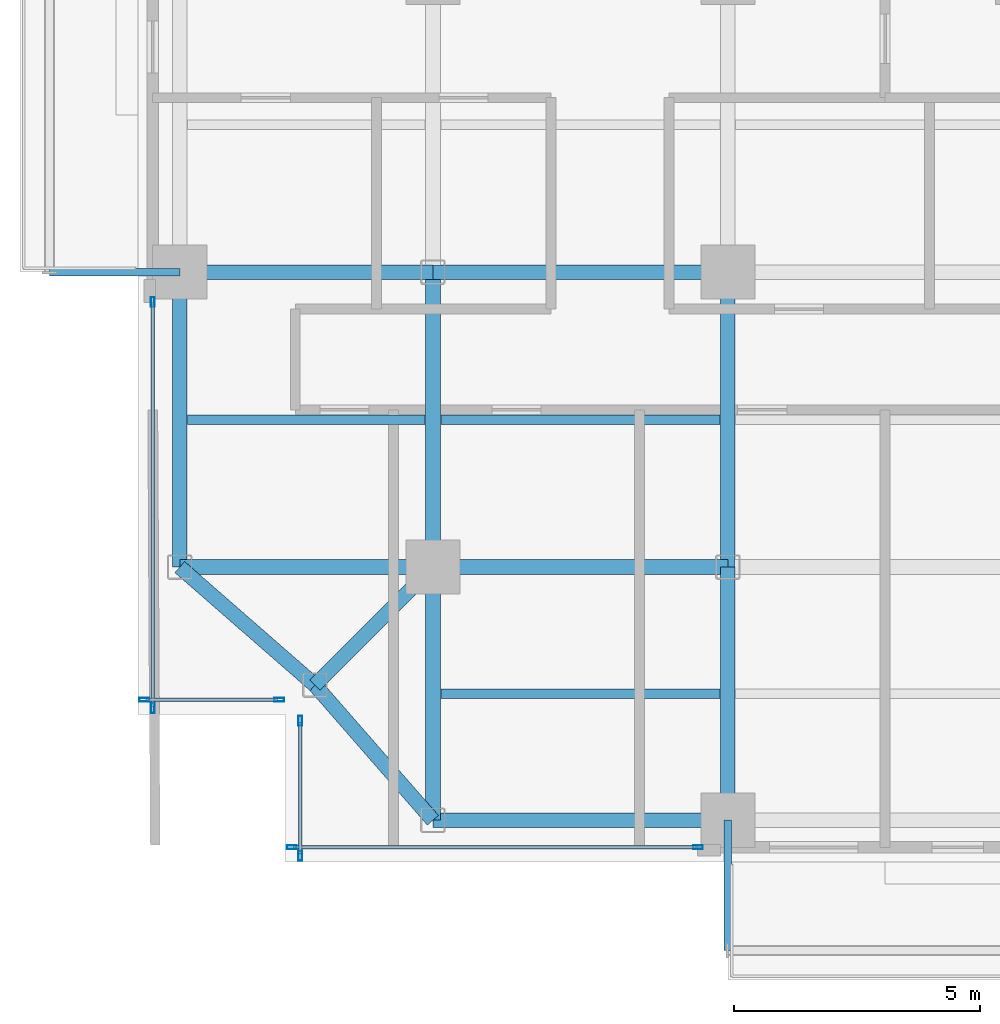
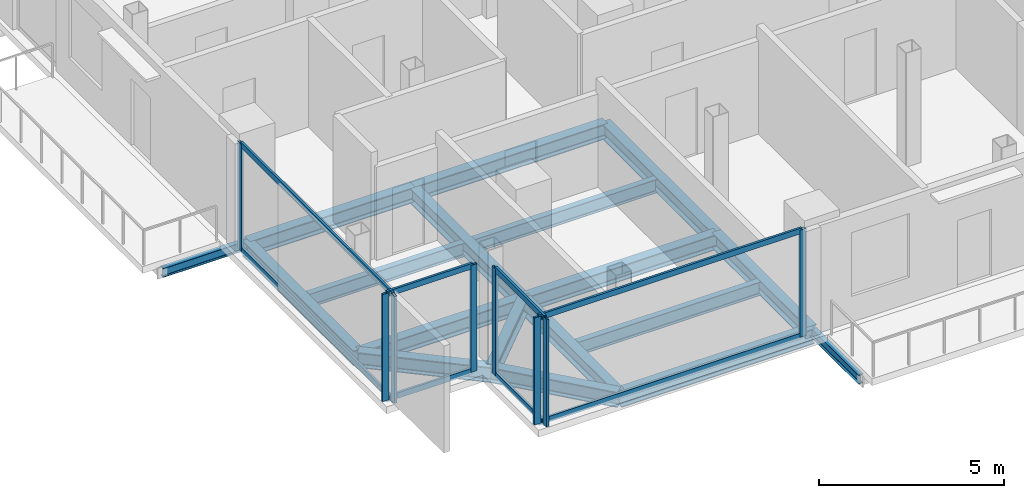
# One storey, part 2 of 24: 18 beams, 16 members, 4 elements without a shape of their own.
"""IFC4 building model written with IfcOpenShell, lengths in metres."""

from ifc_helpers import new_model, si_unit, direction, frame, origin, origin_2d, place, context, subcontext, project, spatial, hollow_rectangle, i_section, extrude, material, layer, layer_set, material_profile, profile_set, type_object, element, aggregate, save


model = new_model("IFC4")

# Units and contexts
model_context = context("Model", 3, precision=1e-05, world=origin(), true_north=direction((0.0, 1.0)))
body_context = subcontext(model_context, "Body", "Model", "MODEL_VIEW")
ifc_project = project(units=[si_unit("LENGTHUNIT", "METRE"), si_unit("AREAUNIT", "SQUARE_METRE"), si_unit("VOLUMEUNIT", "CUBIC_METRE"), si_unit("PLANEANGLEUNIT", "RADIAN"), si_unit("MASSUNIT", "GRAM", prefix="KILO"), si_unit("THERMODYNAMICTEMPERATUREUNIT", "KELVIN"), si_unit("POWERUNIT", "WATT")], contexts=[model_context])

# Site, building, storey
site_placement = place(None, origin())
site = spatial("IfcSite", under=ifc_project, at=site_placement, CompositionType="ELEMENT")
building_placement = place(site_placement, origin())
building = spatial("IfcBuilding", under=site, at=building_placement, Name="Svarakhadi Broadcast Tower", CompositionType="ELEMENT")
storey_placement = place(building_placement, frame((0.0, 0.0, 115.64990234375)))
storey = spatial("IfcBuildingStorey", under=building, at=storey_placement, Name="L27", CompositionType="ELEMENT", Elevation=115.64990234375)

# Beams
ifc_material_1 = material(Name="Steel S355J2 (IS 2062 E350C)", Category="steel")
ifc_material_profile_1 = material_profile(ifc_material_1, i_section(OverallWidth=0.18994140625, OverallDepth=0.449951171875, WebThickness=0.009521484375, FlangeThickness=0.0146484375, FilletRadius=0.02099609375, at=origin_2d()), Name="NPB 450x190x78")
ifc_profile_set_1 = profile_set([ifc_material_profile_1], Name="Steel S355J2 (IS 2062 E350C)")
beam_type_1 = type_object("IfcBeamType", Name="Beam_NPB450", PredefinedType="BEAM", material=ifc_profile_set_1)
beam_1_placement = place(storey_placement, frame((1.010009765625, 9.0, -0.449951171875), z_axis=(1.0, 0.0, 0.0), x_axis=(0.0, 1.0, 0.0)))
element("IfcBeam", 1, at=beam_1_placement, inside=storey, type_object=beam_type_1, Name="L27 Secondary Composite Beam SB001", PredefinedType="BEAM", context=body_context, shape_type="SweptSolid", body=[
    extrude(i_section(OverallWidth=0.18994140625, OverallDepth=0.449951171875, WebThickness=0.009521484375, FlangeThickness=0.0146484375, FilletRadius=0.02099609375, at=origin_2d()), origin(), (0.0, 0.0, 1.0), 4.830078125),
])
for number, where, z_axis, x_axis, name in (
    (2, (6.159912109375, 3.425048828125, -0.449951171875), (1.0, 0.0, 0.0), (0.0, 1.0, 0.0), "L27 Secondary Composite Beam SB006"),
    (3, (6.159912109375, 9.0, -0.449951171875), (1.0, 0.0, 0.0), (0.0, 1.0, 0.0), "L27 Secondary Composite Beam SB007"),
):
    element("IfcBeam", number, at=place(storey_placement, frame(where, z_axis=z_axis, x_axis=x_axis)), inside=storey, type_object=beam_type_1, Name=name, PredefinedType="BEAM", context=body_context, shape_type="SweptSolid", body=[
        extrude(i_section(OverallWidth=0.18994140625, OverallDepth=0.449951171875, WebThickness=0.009521484375, FlangeThickness=0.0146484375, FilletRadius=0.02099609375, at=origin_2d()), origin(), (0.0, 0.0, 1.0), 5.68017578125),
    ])

# Curtain wall, members
ifc_material_2 = material(Name="Anodised Bronze Aluminium AA 6063-T6", Category="aluminium")
ifc_layer = layer(ifc_material_2, 0.199951171875)
ifc_layer_set = layer_set([ifc_layer], Name="Anodised Bronze Aluminium AA 6063-T6")
curtain_wall_type = type_object("IfcCurtainWallType", Name="CW_Sys_03", PredefinedType="NOTDEFINED", material=ifc_layer_set)
curtain_wall_1_placement = place(storey_placement, origin())
curtain_wall_1 = element("IfcCurtainWall", 4, at=curtain_wall_1_placement, inside=storey, type_object=curtain_wall_type, Name="L27 Unitised Facade Curtain Wall 01", PredefinedType="NOTDEFINED")
ifc_material_profile_2 = material_profile(ifc_material_2, hollow_rectangle(XDim=0.074951171875, YDim=0.199951171875, WallThickness=0.005615234375, at=origin_2d()), Name="ALU MULLION 200x75x6")
ifc_profile_set_2 = profile_set([ifc_material_profile_2], Name="Anodised Bronze Aluminium AA 6063-T6")
member_type_1 = type_object("IfcMemberType", Name="CW_Sys_03_Mul", PredefinedType="MULLION", material=ifc_profile_set_2)
member_1_placement = place(storey_placement, frame((2.87255859375, 3.300048828125, 0.0), z_axis=(0.0, 0.0, 1.0), x_axis=(0.0, -1.0, 0.0)))
member_1 = element("IfcMember", 5, at=member_1_placement, type_object=member_type_1, Name="CW-03 mullion 1", PredefinedType="MULLION", context=body_context, shape_type="SweptSolid", body=[
    extrude(hollow_rectangle(XDim=0.074951171875, YDim=0.199951171875, WallThickness=0.005615234375, at=origin_2d()), origin(), (0.0, 0.0, 1.0), 3.525146484375),
])
member_2_placement = place(storey_placement, frame((0.12744140625, 3.300048828125, 0.0), z_axis=(0.0, 0.0, 1.0), x_axis=(0.0, -1.0, 0.0)))
member_2 = element("IfcMember", 6, at=member_2_placement, type_object=member_type_1, Name="CW-03 mullion 2", PredefinedType="MULLION", context=body_context, shape_type="SweptSolid", body=[
    extrude(hollow_rectangle(XDim=0.074951171875, YDim=0.199951171875, WallThickness=0.005615234375, at=origin_2d()), origin(), (0.0, 0.0, 1.0), 3.525146484375),
])

curtain_wall_2_placement = place(storey_placement, origin())
curtain_wall_2 = element("IfcCurtainWall", 7, at=curtain_wall_2_placement, inside=storey, type_object=curtain_wall_type, Name="L27 West Curtain Wall 02", PredefinedType="NOTDEFINED")
member_3_placement = place(storey_placement, frame((0.300048828125, 3.12744140625, 0.0), z_axis=(0.0, 0.0, 1.0), x_axis=(-1.0, 0.0, 0.0)))
member_3 = element("IfcMember", 8, at=member_3_placement, type_object=member_type_1, Name="CW-03 mullion 1", PredefinedType="MULLION", context=body_context, shape_type="SweptSolid", body=[
    extrude(hollow_rectangle(XDim=0.074951171875, YDim=0.199951171875, WallThickness=0.005615234375, at=origin_2d()), origin(), (0.0, 0.0, 1.0), 3.525146484375),
])
member_4_placement = place(storey_placement, frame((0.300048828125, 11.392578125, 0.0), z_axis=(0.0, 0.0, 1.0), x_axis=(-1.0, 0.0, 0.0)))
member_4 = element("IfcMember", 9, at=member_4_placement, type_object=member_type_1, Name="CW-03 mullion 2", PredefinedType="MULLION", context=body_context, shape_type="SweptSolid", body=[
    extrude(hollow_rectangle(XDim=0.074951171875, YDim=0.199951171875, WallThickness=0.005615234375, at=origin_2d()), origin(), (0.0, 0.0, 1.0), 3.525146484375),
])

curtain_wall_3_placement = place(storey_placement, origin())
curtain_wall_3 = element("IfcCurtainWall", 10, at=curtain_wall_3_placement, inside=storey, type_object=curtain_wall_type, Name="L27 South Curtain Wall 17", PredefinedType="NOTDEFINED")
member_5_placement = place(storey_placement, frame((11.392578125, 0.300048828125, 0.0), z_axis=(0.0, 0.0, 1.0), x_axis=(0.0, -1.0, 0.0)))
member_5 = element("IfcMember", 11, at=member_5_placement, type_object=member_type_1, Name="CW-03 mullion 1", PredefinedType="MULLION", context=body_context, shape_type="SweptSolid", body=[
    extrude(hollow_rectangle(XDim=0.074951171875, YDim=0.199951171875, WallThickness=0.005615234375, at=origin_2d()), origin(), (0.0, 0.0, 1.0), 3.525146484375),
])
member_6_placement = place(storey_placement, frame((3.12744140625, 0.300048828125, 0.0), z_axis=(0.0, 0.0, 1.0), x_axis=(0.0, -1.0, 0.0)))
member_6 = element("IfcMember", 12, at=member_6_placement, type_object=member_type_1, Name="CW-03 mullion 2", PredefinedType="MULLION", context=body_context, shape_type="SweptSolid", body=[
    extrude(hollow_rectangle(XDim=0.074951171875, YDim=0.199951171875, WallThickness=0.005615234375, at=origin_2d()), origin(), (0.0, 0.0, 1.0), 3.525146484375),
])

curtain_wall_4_placement = place(storey_placement, origin())
curtain_wall_4 = element("IfcCurtainWall", 13, at=curtain_wall_4_placement, inside=storey, type_object=curtain_wall_type, Name="L27 Unitised Facade Curtain Wall 18", PredefinedType="NOTDEFINED")
member_7_placement = place(storey_placement, frame((3.300048828125, 0.12744140625, 0.0), z_axis=(0.0, 0.0, 1.0), x_axis=(-1.0, 0.0, 0.0)))
member_7 = element("IfcMember", 14, at=member_7_placement, type_object=member_type_1, Name="CW-03 mullion 1", PredefinedType="MULLION", context=body_context, shape_type="SweptSolid", body=[
    extrude(hollow_rectangle(XDim=0.074951171875, YDim=0.199951171875, WallThickness=0.005615234375, at=origin_2d()), origin(), (0.0, 0.0, 1.0), 3.525146484375),
])
member_8_placement = place(storey_placement, frame((3.300048828125, 2.87255859375, 0.0), z_axis=(0.0, 0.0, 1.0), x_axis=(-1.0, 0.0, 0.0)))
member_8 = element("IfcMember", 15, at=member_8_placement, type_object=member_type_1, Name="CW-03 mullion 2", PredefinedType="MULLION", context=body_context, shape_type="SweptSolid", body=[
    extrude(hollow_rectangle(XDim=0.074951171875, YDim=0.199951171875, WallThickness=0.005615234375, at=origin_2d()), origin(), (0.0, 0.0, 1.0), 3.525146484375),
])

# Member
ifc_material_profile_3 = material_profile(ifc_material_2, hollow_rectangle(XDim=0.070068359375, YDim=0.18505859375, WallThickness=0.0048828125, at=origin_2d()), Name="ALU TRANSOM 185x70x5")
ifc_profile_set_3 = profile_set([ifc_material_profile_3], Name="Anodised Bronze Aluminium AA 6063-T6")
member_type_2 = type_object("IfcMemberType", Name="CW_Sys_03_Trn", PredefinedType="USERDEFINED", material=ifc_profile_set_3)
member_9_placement = place(storey_placement, frame((2.8349609375, 3.300048828125, 0.03515625), z_axis=(-1.0, 0.0, 0.0), x_axis=(0.0, -1.0, 0.0)))
member_9 = element("IfcMember", 16, at=member_9_placement, type_object=member_type_2, Name="CW-03 transom 1.1", ObjectType="TRANSOM", PredefinedType="USERDEFINED", context=body_context, shape_type="SweptSolid", body=[
    extrude(hollow_rectangle(XDim=0.070068359375, YDim=0.18505859375, WallThickness=0.0048828125, at=origin_2d()), origin(), (0.0, 0.0, 1.0), 2.669921875),
])

member_10_placement = place(storey_placement, frame((2.8349609375, 3.300048828125, 3.489990234375), z_axis=(-1.0, 0.0, 0.0), x_axis=(0.0, -1.0, 0.0)))
member_10 = element("IfcMember", 17, at=member_10_placement, type_object=member_type_2, Name="CW-03 transom 1.2", ObjectType="TRANSOM", PredefinedType="USERDEFINED", context=body_context, shape_type="SweptSolid", body=[
    extrude(hollow_rectangle(XDim=0.070068359375, YDim=0.18505859375, WallThickness=0.0048828125, at=origin_2d()), origin(), (0.0, 0.0, 1.0), 2.669921875),
])

aggregate(curtain_wall_1, [member_1, member_2, member_9, member_10])

member_11_placement = place(storey_placement, frame((0.300048828125, 3.1650390625, 0.03515625), z_axis=(0.0, 1.0, 0.0), x_axis=(-1.0, 0.0, 0.0)))
member_11 = element("IfcMember", 18, at=member_11_placement, type_object=member_type_2, Name="CW-03 transom 1.1", ObjectType="TRANSOM", PredefinedType="USERDEFINED", context=body_context, shape_type="SweptSolid", body=[
    extrude(hollow_rectangle(XDim=0.070068359375, YDim=0.18505859375, WallThickness=0.0048828125, at=origin_2d()), origin(), (0.0, 0.0, 1.0), 8.18994140625),
])

member_12_placement = place(storey_placement, frame((0.300048828125, 3.1650390625, 3.489990234375), z_axis=(0.0, 1.0, 0.0), x_axis=(-1.0, 0.0, 0.0)))
member_12 = element("IfcMember", 19, at=member_12_placement, type_object=member_type_2, Name="CW-03 transom 1.2", ObjectType="TRANSOM", PredefinedType="USERDEFINED", context=body_context, shape_type="SweptSolid", body=[
    extrude(hollow_rectangle(XDim=0.070068359375, YDim=0.18505859375, WallThickness=0.0048828125, at=origin_2d()), origin(), (0.0, 0.0, 1.0), 8.18994140625),
])

aggregate(curtain_wall_2, [member_3, member_4, member_11, member_12])

member_13_placement = place(storey_placement, frame((11.35498046875, 0.300048828125, 0.03515625), z_axis=(-1.0, 0.0, 0.0), x_axis=(0.0, -1.0, 0.0)))
member_13 = element("IfcMember", 20, at=member_13_placement, type_object=member_type_2, Name="CW-03 transom 1.1", ObjectType="TRANSOM", PredefinedType="USERDEFINED", context=body_context, shape_type="SweptSolid", body=[
    extrude(hollow_rectangle(XDim=0.070068359375, YDim=0.18505859375, WallThickness=0.0048828125, at=origin_2d()), origin(), (0.0, 0.0, 1.0), 8.18994140625),
])

member_14_placement = place(storey_placement, frame((11.35498046875, 0.300048828125, 3.489990234375), z_axis=(-1.0, 0.0, 0.0), x_axis=(0.0, -1.0, 0.0)))
member_14 = element("IfcMember", 21, at=member_14_placement, type_object=member_type_2, Name="CW-03 transom 1.2", ObjectType="TRANSOM", PredefinedType="USERDEFINED", context=body_context, shape_type="SweptSolid", body=[
    extrude(hollow_rectangle(XDim=0.070068359375, YDim=0.18505859375, WallThickness=0.0048828125, at=origin_2d()), origin(), (0.0, 0.0, 1.0), 8.18994140625),
])

aggregate(curtain_wall_3, [member_5, member_6, member_13, member_14])

member_15_placement = place(storey_placement, frame((3.300048828125, 0.1650390625, 0.03515625), z_axis=(0.0, 1.0, 0.0), x_axis=(-1.0, 0.0, 0.0)))
member_15 = element("IfcMember", 22, at=member_15_placement, type_object=member_type_2, Name="CW-03 transom 1.1", ObjectType="TRANSOM", PredefinedType="USERDEFINED", context=body_context, shape_type="SweptSolid", body=[
    extrude(hollow_rectangle(XDim=0.070068359375, YDim=0.18505859375, WallThickness=0.0048828125, at=origin_2d()), origin(), (0.0, 0.0, 1.0), 2.669921875),
])

member_16_placement = place(storey_placement, frame((3.300048828125, 0.1650390625, 3.489990234375), z_axis=(0.0, 1.0, 0.0), x_axis=(-1.0, 0.0, 0.0)))
member_16 = element("IfcMember", 23, at=member_16_placement, type_object=member_type_2, Name="CW-03 transom 1.2", ObjectType="TRANSOM", PredefinedType="USERDEFINED", context=body_context, shape_type="SweptSolid", body=[
    extrude(hollow_rectangle(XDim=0.070068359375, YDim=0.18505859375, WallThickness=0.0048828125, at=origin_2d()), origin(), (0.0, 0.0, 1.0), 2.669921875),
])

aggregate(curtain_wall_4, [member_7, member_8, member_15, member_16])

# Beams
ifc_material_profile_4 = material_profile(ifc_material_1, i_section(OverallWidth=0.300048828125, OverallDepth=0.5, WebThickness=0.014404296875, FlangeThickness=0.028076171875, FilletRadius=0.027099609375, at=origin_2d()), Name="WPB 500x300x187")
ifc_profile_set_4 = profile_set([ifc_material_profile_4], Name="Steel S355J2 (IS 2062 E350C)")
beam_type_2 = type_object("IfcBeamType", Name="Girder_WPB500", PredefinedType="USERDEFINED", material=ifc_profile_set_4)
beam_2_placement = place(storey_placement, frame((3.60009765625, 3.60009765625, -0.474853515625), z_axis=(0.707106781187, 0.707106781187, 0.0), x_axis=(-0.707106781187, 0.707106781187, 0.0)))
element("IfcBeam", 24, at=beam_2_placement, inside=storey, type_object=beam_type_2, Name="L27 Corner Tie Girder G001", ObjectType="GIRDER", PredefinedType="USERDEFINED", context=body_context, shape_type="SweptSolid", body=[
    extrude(i_section(OverallWidth=0.300048828125, OverallDepth=0.5, WebThickness=0.014404296875, FlangeThickness=0.028076171875, FilletRadius=0.027099609375, at=origin_2d()), origin(), (0.0, 0.0, 1.0), 3.39404296875),
])
for number, where, z_axis, x_axis, name in (
    (25, (3.60009765625, 3.60009765625, -0.474853515625), (-0.753437912176, 0.657519058655, 0.0), (-0.657519058655, -0.753437912176, 0.0), "L27 Corner Tie Girder G002"),
    (26, (3.60009765625, 3.60009765625, -0.474853515625), (0.657519058655, -0.753437912176, 0.0), (0.753437912176, 0.657519058655, 0.0), "L27 Corner Tie Girder G003"),
):
    element("IfcBeam", number, at=place(storey_placement, frame(where, z_axis=z_axis, x_axis=x_axis)), inside=storey, type_object=beam_type_2, Name=name, ObjectType="GIRDER", PredefinedType="USERDEFINED", context=body_context, shape_type="SweptSolid", body=[
        extrude(i_section(OverallWidth=0.300048828125, OverallDepth=0.5, WebThickness=0.014404296875, FlangeThickness=0.028076171875, FilletRadius=0.027099609375, at=origin_2d()), origin(), (0.0, 0.0, 1.0), 3.64990234375),
    ])
beam_3_placement = place(storey_placement, frame((6.0, 0.85009765625, -0.474853515625), z_axis=(1.0, 0.0, 0.0), x_axis=(0.0, 1.0, 0.0)))
element("IfcBeam", 27, at=beam_3_placement, inside=storey, type_object=beam_type_2, Name="L27 Primary E-W Girder G004", ObjectType="GIRDER", PredefinedType="USERDEFINED", context=body_context, shape_type="SweptSolid", body=[
    extrude(i_section(OverallWidth=0.300048828125, OverallDepth=0.5, WebThickness=0.014404296875, FlangeThickness=0.028076171875, FilletRadius=0.027099609375, at=origin_2d()), origin(), (0.0, 0.0, 1.0), 6.0),
])
beam_4_placement = place(storey_placement, frame((0.85009765625, 6.0, -0.474853515625), z_axis=(1.0, 0.0, 0.0), x_axis=(0.0, 1.0, 0.0)))
element("IfcBeam", 28, at=beam_4_placement, inside=storey, type_object=beam_type_2, Name="L27 Primary E-W Girder G010", ObjectType="GIRDER", PredefinedType="USERDEFINED", context=body_context, shape_type="SweptSolid", body=[
    extrude(i_section(OverallWidth=0.300048828125, OverallDepth=0.5, WebThickness=0.014404296875, FlangeThickness=0.028076171875, FilletRadius=0.027099609375, at=origin_2d()), origin(), (0.0, 0.0, 1.0), 5.14990234375),
])
beam_5_placement = place(storey_placement, frame((6.0, 6.0, -0.474853515625), z_axis=(1.0, 0.0, 0.0), x_axis=(0.0, 1.0, 0.0)))
element("IfcBeam", 29, at=beam_5_placement, inside=storey, type_object=beam_type_2, Name="L27 Primary E-W Girder G011", ObjectType="GIRDER", PredefinedType="USERDEFINED", context=body_context, shape_type="SweptSolid", body=[
    extrude(i_section(OverallWidth=0.300048828125, OverallDepth=0.5, WebThickness=0.014404296875, FlangeThickness=0.028076171875, FilletRadius=0.027099609375, at=origin_2d()), origin(), (0.0, 0.0, 1.0), 6.0),
])
beam_6_placement = place(storey_placement, frame((0.85009765625, 12.0, -0.474853515625), z_axis=(1.0, 0.0, 0.0), x_axis=(0.0, 1.0, 0.0)))
element("IfcBeam", 30, at=beam_6_placement, inside=storey, type_object=beam_type_2, Name="L27 Primary E-W Girder G017", ObjectType="GIRDER", PredefinedType="USERDEFINED", context=body_context, shape_type="SweptSolid", body=[
    extrude(i_section(OverallWidth=0.300048828125, OverallDepth=0.5, WebThickness=0.014404296875, FlangeThickness=0.028076171875, FilletRadius=0.027099609375, at=origin_2d()), origin(), (0.0, 0.0, 1.0), 5.14990234375),
])
for number, where, z_axis, x_axis, name in (
    (31, (6.0, 12.0, -0.474853515625), (1.0, 0.0, 0.0), (0.0, 1.0, 0.0), "L27 Primary E-W Girder G018"),
    (32, (0.85009765625, 6.0, -0.474853515625), (0.0, 1.0, 0.0), (-1.0, 0.0, 0.0), "L27 Primary N-S Girder G040"),
):
    element("IfcBeam", number, at=place(storey_placement, frame(where, z_axis=z_axis, x_axis=x_axis)), inside=storey, type_object=beam_type_2, Name=name, ObjectType="GIRDER", PredefinedType="USERDEFINED", context=body_context, shape_type="SweptSolid", body=[
        extrude(i_section(OverallWidth=0.300048828125, OverallDepth=0.5, WebThickness=0.014404296875, FlangeThickness=0.028076171875, FilletRadius=0.027099609375, at=origin_2d()), origin(), (0.0, 0.0, 1.0), 6.0),
    ])
beam_7_placement = place(storey_placement, frame((6.0, 0.85009765625, -0.474853515625), z_axis=(0.0, 1.0, 0.0), x_axis=(-1.0, 0.0, 0.0)))
element("IfcBeam", 33, at=beam_7_placement, inside=storey, type_object=beam_type_2, Name="L27 Primary N-S Girder G045", ObjectType="GIRDER", PredefinedType="USERDEFINED", context=body_context, shape_type="SweptSolid", body=[
    extrude(i_section(OverallWidth=0.300048828125, OverallDepth=0.5, WebThickness=0.014404296875, FlangeThickness=0.028076171875, FilletRadius=0.027099609375, at=origin_2d()), origin(), (0.0, 0.0, 1.0), 5.14990234375),
])
beam_8_placement = place(storey_placement, frame((6.0, 6.0, -0.474853515625), z_axis=(0.0, 1.0, 0.0), x_axis=(-1.0, 0.0, 0.0)))
element("IfcBeam", 34, at=beam_8_placement, inside=storey, type_object=beam_type_2, Name="L27 Primary N-S Girder G046", ObjectType="GIRDER", PredefinedType="USERDEFINED", context=body_context, shape_type="SweptSolid", body=[
    extrude(i_section(OverallWidth=0.300048828125, OverallDepth=0.5, WebThickness=0.014404296875, FlangeThickness=0.028076171875, FilletRadius=0.027099609375, at=origin_2d()), origin(), (0.0, 0.0, 1.0), 6.0),
])
beam_9_placement = place(storey_placement, frame((12.0, 0.85009765625, -0.474853515625), z_axis=(0.0, 1.0, 0.0), x_axis=(-1.0, 0.0, 0.0)))
element("IfcBeam", 35, at=beam_9_placement, inside=storey, type_object=beam_type_2, Name="L27 Primary N-S Girder G051", ObjectType="GIRDER", PredefinedType="USERDEFINED", context=body_context, shape_type="SweptSolid", body=[
    extrude(i_section(OverallWidth=0.300048828125, OverallDepth=0.5, WebThickness=0.014404296875, FlangeThickness=0.028076171875, FilletRadius=0.027099609375, at=origin_2d()), origin(), (0.0, 0.0, 1.0), 5.14990234375),
])
beam_10_placement = place(storey_placement, frame((12.0, 6.0, -0.474853515625), z_axis=(0.0, 1.0, 0.0), x_axis=(-1.0, 0.0, 0.0)))
element("IfcBeam", 36, at=beam_10_placement, inside=storey, type_object=beam_type_2, Name="L27 Primary N-S Girder G052", ObjectType="GIRDER", PredefinedType="USERDEFINED", context=body_context, shape_type="SweptSolid", body=[
    extrude(i_section(OverallWidth=0.300048828125, OverallDepth=0.5, WebThickness=0.014404296875, FlangeThickness=0.028076171875, FilletRadius=0.027099609375, at=origin_2d()), origin(), (0.0, 0.0, 1.0), 6.0),
])
ifc_material_profile_5 = material_profile(ifc_material_1, i_section(OverallWidth=0.14990234375, OverallDepth=0.300048828125, WebThickness=0.007080078125, FlangeThickness=0.0107421875, FilletRadius=0.014892578125, at=origin_2d()), Name="NPB 300x150x37")
ifc_profile_set_5 = profile_set([ifc_material_profile_5], Name="Steel S355J2 (IS 2062 E350C)")
beam_type_3 = type_object("IfcBeamType", Name="Spandrel_NPB300", PredefinedType="SPANDREL", material=ifc_profile_set_5)
for number, where, z_axis, x_axis, name in (
    (37, (12.0, 0.85009765625, -0.375), (0.0, -1.0, 0.0), (1.0, 0.0, 0.0), "L27 Balcony Cantilever Bracket 1A"),
    (38, (0.85009765625, 12.0, -0.375), (-1.0, 0.0, 0.0), (0.0, -1.0, 0.0), "L27 Balcony Cantilever Bracket 2A"),
):
    element("IfcBeam", number, at=place(storey_placement, frame(where, z_axis=z_axis, x_axis=x_axis)), inside=storey, type_object=beam_type_3, Name=name, PredefinedType="SPANDREL", context=body_context, shape_type="SweptSolid", body=[
        extrude(i_section(OverallWidth=0.14990234375, OverallDepth=0.300048828125, WebThickness=0.007080078125, FlangeThickness=0.0107421875, FilletRadius=0.014892578125, at=origin_2d()), origin(), (0.0, 0.0, 1.0), 2.650146484375),
    ])

save(model, "model.ifc")
